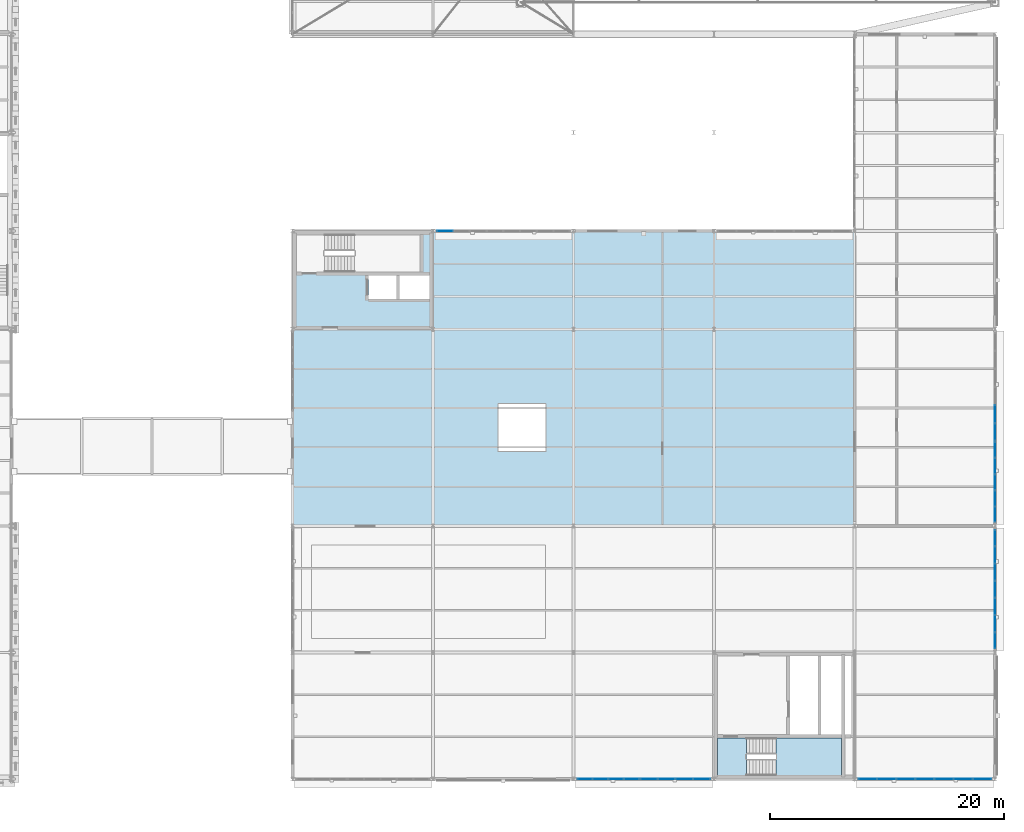
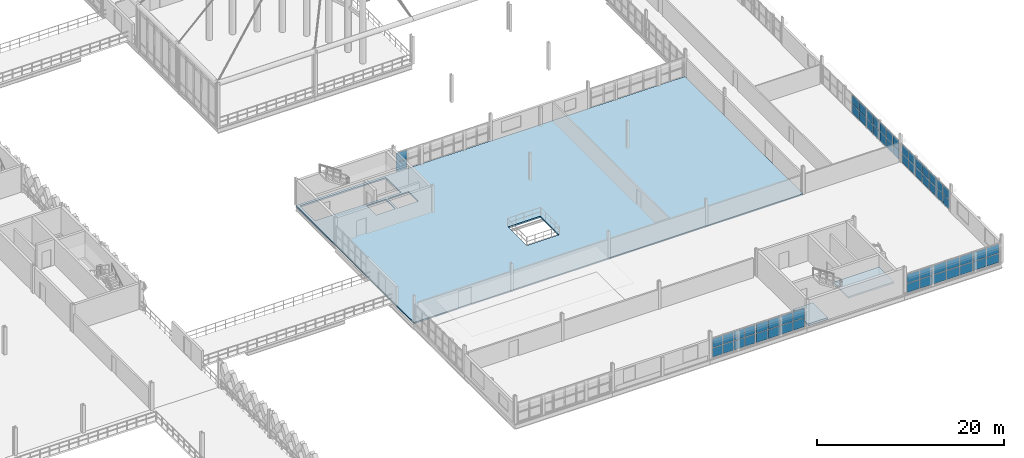
# One storey, part 70 of 101: 60 plates, 3 slabs, 8 elements without a shape of their own.
"""IFC4 building model written with IfcOpenShell, lengths in metres."""

from ifc_helpers import new_model, si_unit, direction, frame, origin, origin_2d, place, context, subcontext, project, spatial, polyline, rectangle, outline, extrude, material, layer, layer_set, type_object, element, aggregate, save


model = new_model("IFC4")

# Units and contexts
model_context = context("Model", 3, precision=1e-05, world=origin(), true_north=direction((0.0, 1.0)))
body_context = subcontext(model_context, "Body", "Model", "MODEL_VIEW")
ifc_project = project(units=[si_unit("LENGTHUNIT", "METRE"), si_unit("AREAUNIT", "SQUARE_METRE"), si_unit("VOLUMEUNIT", "CUBIC_METRE"), si_unit("PLANEANGLEUNIT", "RADIAN"), si_unit("MASSUNIT", "GRAM", prefix="KILO"), si_unit("THERMODYNAMICTEMPERATUREUNIT", "KELVIN"), si_unit("POWERUNIT", "WATT")], contexts=[model_context])

# Site, building, storey
site_placement = place(None, origin())
site = spatial("IfcSite", under=ifc_project, at=site_placement, CompositionType="ELEMENT")
building_placement = place(site_placement, origin())
building = spatial("IfcBuilding", under=site, at=building_placement, Name="Tembeka Court Mobility Hub", CompositionType="ELEMENT")
storey_placement = place(building_placement, frame((0.0, 0.0, 5.39990234375)))
storey = spatial("IfcBuildingStorey", under=building, at=storey_placement, Name="L01", CompositionType="ELEMENT", Elevation=5.39990234375)

# Curtain wall, plates
ifc_material_1 = material(Name="Anodised aluminium 6063-T6", Category="aluminium")
ifc_layer_1 = layer(ifc_material_1, 0.159912109375)
ifc_layer_set_1 = layer_set([ifc_layer_1], Name="Anodised aluminium 6063-T6")
curtain_wall_type_1 = type_object("IfcCurtainWallType", Name="CW-SYS39", PredefinedType="USERDEFINED", material=ifc_layer_set_1)
curtain_wall_1_placement = place(storey_placement, origin())
curtain_wall_1 = element("IfcCurtainWall", 1, at=curtain_wall_1_placement, inside=storey, type_object=curtain_wall_type_1, Name="Unitised curtain wall CW39 (CW-L01-107)", ObjectType="UNITISED GLAZING", PredefinedType="USERDEFINED")
ifc_material_2 = material(Name="Laminated solar-control low-E glass", Category="glass")
ifc_layer_2 = layer(ifc_material_2, 0.028076171875)
ifc_layer_set_2 = layer_set([ifc_layer_2], Name="Laminated solar-control low-E glass")
plate_type_1 = type_object("IfcPlateType", Name="PL-CW01", PredefinedType="CURTAIN_PANEL", material=ifc_layer_set_2)
plate_1_placement = place(storey_placement, frame((141.36376953125, 0.0, 0.065185546875), z_axis=(0.0, 0.0, 1.0), x_axis=(1.0, 0.0, 0.0)))
plate_1 = element("IfcPlate", 2, at=plate_1_placement, type_object=plate_type_1, Name="CW39 panel 1.1", PredefinedType="CURTAIN_PANEL", context=body_context, shape_type="SweptSolid", body=[
    extrude(rectangle(XDim=1.237548828125, YDim=0.028076171875, at=origin_2d()), origin(), (0.0, 0.0, 1.0), 1.169921875),
])
plate_2_placement = place(storey_placement, frame((141.36376953125, 0.0, 1.300048828125), z_axis=(0.0, 0.0, 1.0), x_axis=(1.0, 0.0, 0.0)))
plate_2 = element("IfcPlate", 3, at=plate_2_placement, type_object=plate_type_1, Name="CW39 panel 1.2", PredefinedType="CURTAIN_PANEL", context=body_context, shape_type="SweptSolid", body=[
    extrude(rectangle(XDim=1.237548828125, YDim=0.028076171875, at=origin_2d()), origin(), (0.0, 0.0, 1.0), 1.169921875),
])
plate_3_placement = place(storey_placement, frame((142.6826171875, 0.0, 0.065185546875), z_axis=(0.0, 0.0, 1.0), x_axis=(1.0, 0.0, 0.0)))
plate_3 = element("IfcPlate", 4, at=plate_3_placement, type_object=plate_type_1, Name="CW39 panel 2.1", PredefinedType="CURTAIN_PANEL", context=body_context, shape_type="SweptSolid", body=[
    extrude(rectangle(XDim=1.27001953125, YDim=0.028076171875, at=origin_2d()), origin(), (0.0, 0.0, 1.0), 1.169921875),
])
plate_4_placement = place(storey_placement, frame((142.6826171875, 0.0, 1.300048828125), z_axis=(0.0, 0.0, 1.0), x_axis=(1.0, 0.0, 0.0)))
plate_4 = element("IfcPlate", 5, at=plate_4_placement, type_object=plate_type_1, Name="CW39 panel 2.2", PredefinedType="CURTAIN_PANEL", context=body_context, shape_type="SweptSolid", body=[
    extrude(rectangle(XDim=1.27001953125, YDim=0.028076171875, at=origin_2d()), origin(), (0.0, 0.0, 1.0), 1.169921875),
])
plate_5_placement = place(storey_placement, frame((144.017578125, 0.0, 0.065185546875), z_axis=(0.0, 0.0, 1.0), x_axis=(1.0, 0.0, 0.0)))
plate_5 = element("IfcPlate", 6, at=plate_5_placement, type_object=plate_type_1, Name="CW39 panel 3.1", PredefinedType="CURTAIN_PANEL", context=body_context, shape_type="SweptSolid", body=[
    extrude(rectangle(XDim=1.27001953125, YDim=0.028076171875, at=origin_2d()), origin(), (0.0, 0.0, 1.0), 1.169921875),
])
plate_6_placement = place(storey_placement, frame((144.017578125, 0.0, 1.300048828125), z_axis=(0.0, 0.0, 1.0), x_axis=(1.0, 0.0, 0.0)))
plate_6 = element("IfcPlate", 7, at=plate_6_placement, type_object=plate_type_1, Name="CW39 panel 3.2", PredefinedType="CURTAIN_PANEL", context=body_context, shape_type="SweptSolid", body=[
    extrude(rectangle(XDim=1.27001953125, YDim=0.028076171875, at=origin_2d()), origin(), (0.0, 0.0, 1.0), 1.169921875),
])
plate_7_placement = place(storey_placement, frame((145.336181640625, 0.0, 0.065185546875), z_axis=(0.0, 0.0, 1.0), x_axis=(1.0, 0.0, 0.0)))
plate_7 = element("IfcPlate", 8, at=plate_7_placement, type_object=plate_type_1, Name="CW39 panel 4.1", PredefinedType="CURTAIN_PANEL", context=body_context, shape_type="SweptSolid", body=[
    extrude(rectangle(XDim=1.237548828125, YDim=0.028076171875, at=origin_2d()), origin(), (0.0, 0.0, 1.0), 1.169921875),
])
plate_8_placement = place(storey_placement, frame((145.336181640625, 0.0, 1.300048828125), z_axis=(0.0, 0.0, 1.0), x_axis=(1.0, 0.0, 0.0)))
plate_8 = element("IfcPlate", 9, at=plate_8_placement, type_object=plate_type_1, Name="CW39 panel 4.2", PredefinedType="CURTAIN_PANEL", context=body_context, shape_type="SweptSolid", body=[
    extrude(rectangle(XDim=1.237548828125, YDim=0.028076171875, at=origin_2d()), origin(), (0.0, 0.0, 1.0), 1.169921875),
])
aggregate(curtain_wall_1, [plate_1, plate_2, plate_3, plate_4, plate_5, plate_6, plate_7, plate_8])

ifc_layer_3 = layer(ifc_material_1, 0.159912109375)
ifc_layer_set_3 = layer_set([ifc_layer_3], Name="Anodised aluminium 6063-T6")
curtain_wall_type_2 = type_object("IfcCurtainWallType", Name="CW-SYS41", PredefinedType="USERDEFINED", material=ifc_layer_set_3)
curtain_wall_2_placement = place(storey_placement, origin())
curtain_wall_2 = element("IfcCurtainWall", 10, at=curtain_wall_2_placement, inside=storey, type_object=curtain_wall_type_2, Name="Unitised curtain wall CW41 (CW-L01-109)", ObjectType="UNITISED GLAZING", PredefinedType="USERDEFINED")
plate_9_placement = place(storey_placement, frame((165.513427734375, 0.0, 0.065185546875), z_axis=(0.0, 0.0, 1.0), x_axis=(1.0, 0.0, 0.0)))
plate_9 = element("IfcPlate", 11, at=plate_9_placement, type_object=plate_type_1, Name="CW41 panel 1.1", PredefinedType="CURTAIN_PANEL", context=body_context, shape_type="SweptSolid", body=[
    extrude(rectangle(XDim=1.536865234375, YDim=0.028076171875, at=origin_2d()), origin(), (0.0, 0.0, 1.0), 1.169921875),
])
plate_10_placement = place(storey_placement, frame((165.513427734375, 0.0, 1.300048828125), z_axis=(0.0, 0.0, 1.0), x_axis=(1.0, 0.0, 0.0)))
plate_10 = element("IfcPlate", 12, at=plate_10_placement, type_object=plate_type_1, Name="CW41 panel 1.2", PredefinedType="CURTAIN_PANEL", context=body_context, shape_type="SweptSolid", body=[
    extrude(rectangle(XDim=1.536865234375, YDim=0.028076171875, at=origin_2d()), origin(), (0.0, 0.0, 1.0), 1.169921875),
])
plate_11_placement = place(storey_placement, frame((167.13134765625, 0.0, 0.065185546875), z_axis=(0.0, 0.0, 1.0), x_axis=(1.0, 0.0, 0.0)))
plate_11 = element("IfcPlate", 13, at=plate_11_placement, type_object=plate_type_1, Name="CW41 panel 2.1", PredefinedType="CURTAIN_PANEL", context=body_context, shape_type="SweptSolid", body=[
    extrude(rectangle(XDim=1.5693359375, YDim=0.028076171875, at=origin_2d()), origin(), (0.0, 0.0, 1.0), 1.169921875),
])
plate_12_placement = place(storey_placement, frame((167.13134765625, 0.0, 1.300048828125), z_axis=(0.0, 0.0, 1.0), x_axis=(1.0, 0.0, 0.0)))
plate_12 = element("IfcPlate", 14, at=plate_12_placement, type_object=plate_type_1, Name="CW41 panel 2.2", PredefinedType="CURTAIN_PANEL", context=body_context, shape_type="SweptSolid", body=[
    extrude(rectangle(XDim=1.5693359375, YDim=0.028076171875, at=origin_2d()), origin(), (0.0, 0.0, 1.0), 1.169921875),
])
plate_13_placement = place(storey_placement, frame((168.765625, 0.0, 0.065185546875), z_axis=(0.0, 0.0, 1.0), x_axis=(1.0, 0.0, 0.0)))
plate_13 = element("IfcPlate", 15, at=plate_13_placement, type_object=plate_type_1, Name="CW41 panel 3.1", PredefinedType="CURTAIN_PANEL", context=body_context, shape_type="SweptSolid", body=[
    extrude(rectangle(XDim=1.5693359375, YDim=0.028076171875, at=origin_2d()), origin(), (0.0, 0.0, 1.0), 1.169921875),
])
plate_14_placement = place(storey_placement, frame((168.765625, 0.0, 1.300048828125), z_axis=(0.0, 0.0, 1.0), x_axis=(1.0, 0.0, 0.0)))
plate_14 = element("IfcPlate", 16, at=plate_14_placement, type_object=plate_type_1, Name="CW41 panel 3.2", PredefinedType="CURTAIN_PANEL", context=body_context, shape_type="SweptSolid", body=[
    extrude(rectangle(XDim=1.5693359375, YDim=0.028076171875, at=origin_2d()), origin(), (0.0, 0.0, 1.0), 1.169921875),
])
plate_15_placement = place(storey_placement, frame((170.39990234375, 0.0, 0.065185546875), z_axis=(0.0, 0.0, 1.0), x_axis=(1.0, 0.0, 0.0)))
plate_15 = element("IfcPlate", 17, at=plate_15_placement, type_object=plate_type_1, Name="CW41 panel 4.1", PredefinedType="CURTAIN_PANEL", context=body_context, shape_type="SweptSolid", body=[
    extrude(rectangle(XDim=1.5693359375, YDim=0.028076171875, at=origin_2d()), origin(), (0.0, 0.0, 1.0), 1.169921875),
])
plate_16_placement = place(storey_placement, frame((170.39990234375, 0.0, 1.300048828125), z_axis=(0.0, 0.0, 1.0), x_axis=(1.0, 0.0, 0.0)))
plate_16 = element("IfcPlate", 18, at=plate_16_placement, type_object=plate_type_1, Name="CW41 panel 4.2", PredefinedType="CURTAIN_PANEL", context=body_context, shape_type="SweptSolid", body=[
    extrude(rectangle(XDim=1.5693359375, YDim=0.028076171875, at=origin_2d()), origin(), (0.0, 0.0, 1.0), 1.169921875),
])
plate_17_placement = place(storey_placement, frame((172.0341796875, 0.0, 0.065185546875), z_axis=(0.0, 0.0, 1.0), x_axis=(1.0, 0.0, 0.0)))
plate_17 = element("IfcPlate", 19, at=plate_17_placement, type_object=plate_type_1, Name="CW41 panel 5.1", PredefinedType="CURTAIN_PANEL", context=body_context, shape_type="SweptSolid", body=[
    extrude(rectangle(XDim=1.5693359375, YDim=0.028076171875, at=origin_2d()), origin(), (0.0, 0.0, 1.0), 1.169921875),
])
plate_18_placement = place(storey_placement, frame((172.0341796875, 0.0, 1.300048828125), z_axis=(0.0, 0.0, 1.0), x_axis=(1.0, 0.0, 0.0)))
plate_18 = element("IfcPlate", 20, at=plate_18_placement, type_object=plate_type_1, Name="CW41 panel 5.2", PredefinedType="CURTAIN_PANEL", context=body_context, shape_type="SweptSolid", body=[
    extrude(rectangle(XDim=1.5693359375, YDim=0.028076171875, at=origin_2d()), origin(), (0.0, 0.0, 1.0), 1.169921875),
])
plate_19_placement = place(storey_placement, frame((173.66845703125, 0.0, 0.065185546875), z_axis=(0.0, 0.0, 1.0), x_axis=(1.0, 0.0, 0.0)))
plate_19 = element("IfcPlate", 21, at=plate_19_placement, type_object=plate_type_1, Name="CW41 panel 6.1", PredefinedType="CURTAIN_PANEL", context=body_context, shape_type="SweptSolid", body=[
    extrude(rectangle(XDim=1.5693359375, YDim=0.028076171875, at=origin_2d()), origin(), (0.0, 0.0, 1.0), 1.169921875),
])
plate_20_placement = place(storey_placement, frame((173.66845703125, 0.0, 1.300048828125), z_axis=(0.0, 0.0, 1.0), x_axis=(1.0, 0.0, 0.0)))
plate_20 = element("IfcPlate", 22, at=plate_20_placement, type_object=plate_type_1, Name="CW41 panel 6.2", PredefinedType="CURTAIN_PANEL", context=body_context, shape_type="SweptSolid", body=[
    extrude(rectangle(XDim=1.5693359375, YDim=0.028076171875, at=origin_2d()), origin(), (0.0, 0.0, 1.0), 1.169921875),
])
plate_21_placement = place(storey_placement, frame((175.28662109375, 0.0, 0.065185546875), z_axis=(0.0, 0.0, 1.0), x_axis=(1.0, 0.0, 0.0)))
plate_21 = element("IfcPlate", 23, at=plate_21_placement, type_object=plate_type_1, Name="CW41 panel 7.1", PredefinedType="CURTAIN_PANEL", context=body_context, shape_type="SweptSolid", body=[
    extrude(rectangle(XDim=1.536865234375, YDim=0.028076171875, at=origin_2d()), origin(), (0.0, 0.0, 1.0), 1.169921875),
])
plate_22_placement = place(storey_placement, frame((175.28662109375, 0.0, 1.300048828125), z_axis=(0.0, 0.0, 1.0), x_axis=(1.0, 0.0, 0.0)))
plate_22 = element("IfcPlate", 24, at=plate_22_placement, type_object=plate_type_1, Name="CW41 panel 7.2", PredefinedType="CURTAIN_PANEL", context=body_context, shape_type="SweptSolid", body=[
    extrude(rectangle(XDim=1.536865234375, YDim=0.028076171875, at=origin_2d()), origin(), (0.0, 0.0, 1.0), 1.169921875),
])
aggregate(curtain_wall_2, [plate_9, plate_10, plate_11, plate_12, plate_13, plate_14, plate_15, plate_16, plate_17, plate_18, plate_19, plate_20, plate_21, plate_22])

ifc_layer_4 = layer(ifc_material_1, 0.159912109375)
ifc_layer_set_4 = layer_set([ifc_layer_4], Name="Anodised aluminium 6063-T6")
curtain_wall_type_3 = type_object("IfcCurtainWallType", Name="CW-SYS42", PredefinedType="USERDEFINED", material=ifc_layer_set_4)
curtain_wall_3_placement = place(storey_placement, origin())
curtain_wall_3 = element("IfcCurtainWall", 25, at=curtain_wall_3_placement, inside=storey, type_object=curtain_wall_type_3, Name="Unitised curtain wall CW42 (CW-L01-110)", ObjectType="UNITISED GLAZING", PredefinedType="USERDEFINED")
plate_23_placement = place(storey_placement, frame((176.39990234375, 11.82763671875, 0.065185546875), z_axis=(0.0, 0.0, 1.0), x_axis=(0.0, 1.0, 0.0)))
plate_23 = element("IfcPlate", 26, at=plate_23_placement, type_object=plate_type_1, Name="CW42 panel 1.1", PredefinedType="CURTAIN_PANEL", context=body_context, shape_type="SweptSolid", body=[
    extrude(rectangle(XDim=1.365478515625, YDim=0.028076171875, at=origin_2d()), origin(), (0.0, 0.0, 1.0), 1.169921875),
])
plate_24_placement = place(storey_placement, frame((176.39990234375, 11.82763671875, 1.300048828125), z_axis=(0.0, 0.0, 1.0), x_axis=(0.0, 1.0, 0.0)))
plate_24 = element("IfcPlate", 27, at=plate_24_placement, type_object=plate_type_1, Name="CW42 panel 1.2", PredefinedType="CURTAIN_PANEL", context=body_context, shape_type="SweptSolid", body=[
    extrude(rectangle(XDim=1.365478515625, YDim=0.028076171875, at=origin_2d()), origin(), (0.0, 0.0, 1.0), 1.169921875),
])
plate_25_placement = place(storey_placement, frame((176.39990234375, 13.274169921875, 0.065185546875), z_axis=(0.0, 0.0, 1.0), x_axis=(0.0, 1.0, 0.0)))
plate_25 = element("IfcPlate", 28, at=plate_25_placement, type_object=plate_type_1, Name="CW42 panel 2.1", PredefinedType="CURTAIN_PANEL", context=body_context, shape_type="SweptSolid", body=[
    extrude(rectangle(XDim=1.39794921875, YDim=0.028076171875, at=origin_2d()), origin(), (0.0, 0.0, 1.0), 1.169921875),
])
plate_26_placement = place(storey_placement, frame((176.39990234375, 13.274169921875, 1.300048828125), z_axis=(0.0, 0.0, 1.0), x_axis=(0.0, 1.0, 0.0)))
plate_26 = element("IfcPlate", 29, at=plate_26_placement, type_object=plate_type_1, Name="CW42 panel 2.2", PredefinedType="CURTAIN_PANEL", context=body_context, shape_type="SweptSolid", body=[
    extrude(rectangle(XDim=1.39794921875, YDim=0.028076171875, at=origin_2d()), origin(), (0.0, 0.0, 1.0), 1.169921875),
])
plate_27_placement = place(storey_placement, frame((176.39990234375, 14.737060546875, 0.065185546875), z_axis=(0.0, 0.0, 1.0), x_axis=(0.0, 1.0, 0.0)))
plate_27 = element("IfcPlate", 30, at=plate_27_placement, type_object=plate_type_1, Name="CW42 panel 3.1", PredefinedType="CURTAIN_PANEL", context=body_context, shape_type="SweptSolid", body=[
    extrude(rectangle(XDim=1.39794921875, YDim=0.028076171875, at=origin_2d()), origin(), (0.0, 0.0, 1.0), 1.169921875),
])
plate_28_placement = place(storey_placement, frame((176.39990234375, 14.737060546875, 1.300048828125), z_axis=(0.0, 0.0, 1.0), x_axis=(0.0, 1.0, 0.0)))
plate_28 = element("IfcPlate", 31, at=plate_28_placement, type_object=plate_type_1, Name="CW42 panel 3.2", PredefinedType="CURTAIN_PANEL", context=body_context, shape_type="SweptSolid", body=[
    extrude(rectangle(XDim=1.39794921875, YDim=0.028076171875, at=origin_2d()), origin(), (0.0, 0.0, 1.0), 1.169921875),
])
plate_29_placement = place(storey_placement, frame((176.39990234375, 16.199951171875, 0.065185546875), z_axis=(0.0, 0.0, 1.0), x_axis=(0.0, 1.0, 0.0)))
plate_29 = element("IfcPlate", 32, at=plate_29_placement, type_object=plate_type_1, Name="CW42 panel 4.1", PredefinedType="CURTAIN_PANEL", context=body_context, shape_type="SweptSolid", body=[
    extrude(rectangle(XDim=1.39794921875, YDim=0.028076171875, at=origin_2d()), origin(), (0.0, 0.0, 1.0), 1.169921875),
])
plate_30_placement = place(storey_placement, frame((176.39990234375, 16.199951171875, 1.300048828125), z_axis=(0.0, 0.0, 1.0), x_axis=(0.0, 1.0, 0.0)))
plate_30 = element("IfcPlate", 33, at=plate_30_placement, type_object=plate_type_1, Name="CW42 panel 4.2", PredefinedType="CURTAIN_PANEL", context=body_context, shape_type="SweptSolid", body=[
    extrude(rectangle(XDim=1.39794921875, YDim=0.028076171875, at=origin_2d()), origin(), (0.0, 0.0, 1.0), 1.169921875),
])
plate_31_placement = place(storey_placement, frame((176.39990234375, 17.662841796875, 0.065185546875), z_axis=(0.0, 0.0, 1.0), x_axis=(0.0, 1.0, 0.0)))
plate_31 = element("IfcPlate", 34, at=plate_31_placement, type_object=plate_type_1, Name="CW42 panel 5.1", PredefinedType="CURTAIN_PANEL", context=body_context, shape_type="SweptSolid", body=[
    extrude(rectangle(XDim=1.39794921875, YDim=0.028076171875, at=origin_2d()), origin(), (0.0, 0.0, 1.0), 1.169921875),
])
plate_32_placement = place(storey_placement, frame((176.39990234375, 17.662841796875, 1.300048828125), z_axis=(0.0, 0.0, 1.0), x_axis=(0.0, 1.0, 0.0)))
plate_32 = element("IfcPlate", 35, at=plate_32_placement, type_object=plate_type_1, Name="CW42 panel 5.2", PredefinedType="CURTAIN_PANEL", context=body_context, shape_type="SweptSolid", body=[
    extrude(rectangle(XDim=1.39794921875, YDim=0.028076171875, at=origin_2d()), origin(), (0.0, 0.0, 1.0), 1.169921875),
])
plate_33_placement = place(storey_placement, frame((176.39990234375, 19.125732421875, 0.065185546875), z_axis=(0.0, 0.0, 1.0), x_axis=(0.0, 1.0, 0.0)))
plate_33 = element("IfcPlate", 36, at=plate_33_placement, type_object=plate_type_1, Name="CW42 panel 6.1", PredefinedType="CURTAIN_PANEL", context=body_context, shape_type="SweptSolid", body=[
    extrude(rectangle(XDim=1.39794921875, YDim=0.028076171875, at=origin_2d()), origin(), (0.0, 0.0, 1.0), 1.169921875),
])
plate_34_placement = place(storey_placement, frame((176.39990234375, 19.125732421875, 1.300048828125), z_axis=(0.0, 0.0, 1.0), x_axis=(0.0, 1.0, 0.0)))
plate_34 = element("IfcPlate", 37, at=plate_34_placement, type_object=plate_type_1, Name="CW42 panel 6.2", PredefinedType="CURTAIN_PANEL", context=body_context, shape_type="SweptSolid", body=[
    extrude(rectangle(XDim=1.39794921875, YDim=0.028076171875, at=origin_2d()), origin(), (0.0, 0.0, 1.0), 1.169921875),
])
plate_35_placement = place(storey_placement, frame((176.39990234375, 20.572265625, 0.065185546875), z_axis=(0.0, 0.0, 1.0), x_axis=(0.0, 1.0, 0.0)))
plate_35 = element("IfcPlate", 38, at=plate_35_placement, type_object=plate_type_1, Name="CW42 panel 7.1", PredefinedType="CURTAIN_PANEL", context=body_context, shape_type="SweptSolid", body=[
    extrude(rectangle(XDim=1.365478515625, YDim=0.028076171875, at=origin_2d()), origin(), (0.0, 0.0, 1.0), 1.169921875),
])
plate_36_placement = place(storey_placement, frame((176.39990234375, 20.572265625, 1.300048828125), z_axis=(0.0, 0.0, 1.0), x_axis=(0.0, 1.0, 0.0)))
plate_36 = element("IfcPlate", 39, at=plate_36_placement, type_object=plate_type_1, Name="CW42 panel 7.2", PredefinedType="CURTAIN_PANEL", context=body_context, shape_type="SweptSolid", body=[
    extrude(rectangle(XDim=1.365478515625, YDim=0.028076171875, at=origin_2d()), origin(), (0.0, 0.0, 1.0), 1.169921875),
])
aggregate(curtain_wall_3, [plate_23, plate_24, plate_25, plate_26, plate_27, plate_28, plate_29, plate_30, plate_31, plate_32, plate_33, plate_34, plate_35, plate_36])

ifc_layer_5 = layer(ifc_material_1, 0.159912109375)
ifc_layer_set_5 = layer_set([ifc_layer_5], Name="Anodised aluminium 6063-T6")
curtain_wall_type_4 = type_object("IfcCurtainWallType", Name="CW-SYS43", PredefinedType="USERDEFINED", material=ifc_layer_set_5)
curtain_wall_4_placement = place(storey_placement, origin())
curtain_wall_4 = element("IfcCurtainWall", 40, at=curtain_wall_4_placement, inside=storey, type_object=curtain_wall_type_4, Name="Unitised curtain wall CW43 (CW-L01-111)", ObjectType="UNITISED GLAZING", PredefinedType="USERDEFINED")
plate_37_placement = place(storey_placement, frame((176.39990234375, 22.588623046875, 0.065185546875), z_axis=(0.0, 0.0, 1.0), x_axis=(0.0, 1.0, 0.0)))
plate_37 = element("IfcPlate", 41, at=plate_37_placement, type_object=plate_type_1, Name="CW43 panel 1.1", PredefinedType="CURTAIN_PANEL", context=body_context, shape_type="SweptSolid", body=[
    extrude(rectangle(XDim=1.287353515625, YDim=0.028076171875, at=origin_2d()), origin(), (0.0, 0.0, 1.0), 1.169921875),
])
plate_38_placement = place(storey_placement, frame((176.39990234375, 22.588623046875, 1.300048828125), z_axis=(0.0, 0.0, 1.0), x_axis=(0.0, 1.0, 0.0)))
plate_38 = element("IfcPlate", 42, at=plate_38_placement, type_object=plate_type_1, Name="CW43 panel 1.2", PredefinedType="CURTAIN_PANEL", context=body_context, shape_type="SweptSolid", body=[
    extrude(rectangle(XDim=1.287353515625, YDim=0.028076171875, at=origin_2d()), origin(), (0.0, 0.0, 1.0), 1.169921875),
])
plate_39_placement = place(storey_placement, frame((176.39990234375, 23.957275390625, 0.065185546875), z_axis=(0.0, 0.0, 1.0), x_axis=(0.0, 1.0, 0.0)))
plate_39 = element("IfcPlate", 43, at=plate_39_placement, type_object=plate_type_1, Name="CW43 panel 2.1", PredefinedType="CURTAIN_PANEL", context=body_context, shape_type="SweptSolid", body=[
    extrude(rectangle(XDim=1.31982421875, YDim=0.028076171875, at=origin_2d()), origin(), (0.0, 0.0, 1.0), 1.169921875),
])
plate_40_placement = place(storey_placement, frame((176.39990234375, 23.957275390625, 1.300048828125), z_axis=(0.0, 0.0, 1.0), x_axis=(0.0, 1.0, 0.0)))
plate_40 = element("IfcPlate", 44, at=plate_40_placement, type_object=plate_type_1, Name="CW43 panel 2.2", PredefinedType="CURTAIN_PANEL", context=body_context, shape_type="SweptSolid", body=[
    extrude(rectangle(XDim=1.31982421875, YDim=0.028076171875, at=origin_2d()), origin(), (0.0, 0.0, 1.0), 1.169921875),
])
plate_41_placement = place(storey_placement, frame((176.39990234375, 25.342041015625, 0.065185546875), z_axis=(0.0, 0.0, 1.0), x_axis=(0.0, 1.0, 0.0)))
plate_41 = element("IfcPlate", 45, at=plate_41_placement, type_object=plate_type_1, Name="CW43 panel 3.1", PredefinedType="CURTAIN_PANEL", context=body_context, shape_type="SweptSolid", body=[
    extrude(rectangle(XDim=1.31982421875, YDim=0.028076171875, at=origin_2d()), origin(), (0.0, 0.0, 1.0), 1.169921875),
])
plate_42_placement = place(storey_placement, frame((176.39990234375, 25.342041015625, 1.300048828125), z_axis=(0.0, 0.0, 1.0), x_axis=(0.0, 1.0, 0.0)))
plate_42 = element("IfcPlate", 46, at=plate_42_placement, type_object=plate_type_1, Name="CW43 panel 3.2", PredefinedType="CURTAIN_PANEL", context=body_context, shape_type="SweptSolid", body=[
    extrude(rectangle(XDim=1.31982421875, YDim=0.028076171875, at=origin_2d()), origin(), (0.0, 0.0, 1.0), 1.169921875),
])
plate_43_placement = place(storey_placement, frame((176.39990234375, 26.726806640625, 0.065185546875), z_axis=(0.0, 0.0, 1.0), x_axis=(0.0, 1.0, 0.0)))
plate_43 = element("IfcPlate", 47, at=plate_43_placement, type_object=plate_type_1, Name="CW43 panel 4.1", PredefinedType="CURTAIN_PANEL", context=body_context, shape_type="SweptSolid", body=[
    extrude(rectangle(XDim=1.31982421875, YDim=0.028076171875, at=origin_2d()), origin(), (0.0, 0.0, 1.0), 1.169921875),
])
plate_44_placement = place(storey_placement, frame((176.39990234375, 26.726806640625, 1.300048828125), z_axis=(0.0, 0.0, 1.0), x_axis=(0.0, 1.0, 0.0)))
plate_44 = element("IfcPlate", 48, at=plate_44_placement, type_object=plate_type_1, Name="CW43 panel 4.2", PredefinedType="CURTAIN_PANEL", context=body_context, shape_type="SweptSolid", body=[
    extrude(rectangle(XDim=1.31982421875, YDim=0.028076171875, at=origin_2d()), origin(), (0.0, 0.0, 1.0), 1.169921875),
])
plate_45_placement = place(storey_placement, frame((176.39990234375, 28.095458984375, 0.065185546875), z_axis=(0.0, 0.0, 1.0), x_axis=(0.0, 1.0, 0.0)))
plate_45 = element("IfcPlate", 49, at=plate_45_placement, type_object=plate_type_1, Name="CW43 panel 5.1", PredefinedType="CURTAIN_PANEL", context=body_context, shape_type="SweptSolid", body=[
    extrude(rectangle(XDim=1.287353515625, YDim=0.028076171875, at=origin_2d()), origin(), (0.0, 0.0, 1.0), 1.169921875),
])
plate_46_placement = place(storey_placement, frame((176.39990234375, 28.095458984375, 1.300048828125), z_axis=(0.0, 0.0, 1.0), x_axis=(0.0, 1.0, 0.0)))
plate_46 = element("IfcPlate", 50, at=plate_46_placement, type_object=plate_type_1, Name="CW43 panel 5.2", PredefinedType="CURTAIN_PANEL", context=body_context, shape_type="SweptSolid", body=[
    extrude(rectangle(XDim=1.287353515625, YDim=0.028076171875, at=origin_2d()), origin(), (0.0, 0.0, 1.0), 1.169921875),
])
aggregate(curtain_wall_4, [plate_37, plate_38, plate_39, plate_40, plate_41, plate_42, plate_43, plate_44, plate_45, plate_46])

curtain_wall_5_placement = place(storey_placement, origin())
curtain_wall_5 = element("IfcCurtainWall", 51, at=curtain_wall_5_placement, inside=storey, type_object=curtain_wall_type_2, Name="Unitised curtain wall CW41 (CW-L01-115)", ObjectType="UNITISED GLAZING", PredefinedType="USERDEFINED")
plate_47_placement = place(storey_placement, frame((129.4111328125, 46.800048828125, 0.065185546875), z_axis=(0.0, 0.0, 1.0), x_axis=(1.0, 0.0, 0.0)))
plate_47 = element("IfcPlate", 52, at=plate_47_placement, type_object=plate_type_1, Name="CW41 panel 1.1", PredefinedType="CURTAIN_PANEL", context=body_context, shape_type="SweptSolid", body=[
    extrude(rectangle(XDim=1.33251953125, YDim=0.028076171875, at=origin_2d()), origin(), (0.0, 0.0, 1.0), 1.169921875),
])
plate_48_placement = place(storey_placement, frame((129.4111328125, 46.800048828125, 1.300048828125), z_axis=(0.0, 0.0, 1.0), x_axis=(1.0, 0.0, 0.0)))
plate_48 = element("IfcPlate", 53, at=plate_48_placement, type_object=plate_type_1, Name="CW41 panel 1.2", PredefinedType="CURTAIN_PANEL", context=body_context, shape_type="SweptSolid", body=[
    extrude(rectangle(XDim=1.33251953125, YDim=0.028076171875, at=origin_2d()), origin(), (0.0, 0.0, 1.0), 1.169921875),
])
aggregate(curtain_wall_5, [plate_47, plate_48])

ifc_layer_6 = layer(ifc_material_1, 0.159912109375)
ifc_layer_set_6 = layer_set([ifc_layer_6], Name="Anodised aluminium 6063-T6")
curtain_wall_type_5 = type_object("IfcCurtainWallType", Name="CW-SYS40", PredefinedType="USERDEFINED", material=ifc_layer_set_6)
curtain_wall_6_placement = place(storey_placement, origin())
curtain_wall_6 = element("IfcCurtainWall", 54, at=curtain_wall_6_placement, inside=storey, type_object=curtain_wall_type_5, Name="Unitised curtain wall CW40 (CW-L01-108)", ObjectType="UNITISED GLAZING", PredefinedType="USERDEFINED")
ifc_material_3 = material(Name="Insulated aluminium spandrel panel", Category="aluminium")
ifc_layer_7 = layer(ifc_material_3, 0.052001953125)
ifc_layer_set_7 = layer_set([ifc_layer_7], Name="Insulated aluminium spandrel panel")
plate_type_2 = type_object("IfcPlateType", Name="PL-CW02", PredefinedType="CURTAIN_PANEL", material=ifc_layer_set_7)
plate_49_placement = place(storey_placement, frame((146.833740234375, 0.0, 0.065185546875), z_axis=(0.0, 0.0, 1.0), x_axis=(1.0, 0.0, 0.0)))
plate_49 = element("IfcPlate", 55, at=plate_49_placement, type_object=plate_type_2, Name="CW40 panel 1.1", PredefinedType="CURTAIN_PANEL", context=body_context, shape_type="SweptSolid", body=[
    extrude(rectangle(XDim=1.41748046875, YDim=0.052001953125, at=origin_2d()), origin(), (0.0, 0.0, 1.0), 1.169921875),
])
plate_50_placement = place(storey_placement, frame((146.833740234375, 0.0, 1.300048828125), z_axis=(0.0, 0.0, 1.0), x_axis=(1.0, 0.0, 0.0)))
plate_50 = element("IfcPlate", 56, at=plate_50_placement, type_object=plate_type_2, Name="CW40 panel 1.2", PredefinedType="CURTAIN_PANEL", context=body_context, shape_type="SweptSolid", body=[
    extrude(rectangle(XDim=1.41748046875, YDim=0.052001953125, at=origin_2d()), origin(), (0.0, 0.0, 1.0), 1.169921875),
])
plate_51_placement = place(storey_placement, frame((148.33251953125, 0.0, 0.065185546875), z_axis=(0.0, 0.0, 1.0), x_axis=(1.0, 0.0, 0.0)))
plate_51 = element("IfcPlate", 57, at=plate_51_placement, type_object=plate_type_2, Name="CW40 panel 2.1", PredefinedType="CURTAIN_PANEL", context=body_context, shape_type="SweptSolid", body=[
    extrude(rectangle(XDim=1.449951171875, YDim=0.052001953125, at=origin_2d()), origin(), (0.0, 0.0, 1.0), 1.169921875),
])
plate_52_placement = place(storey_placement, frame((148.33251953125, 0.0, 1.300048828125), z_axis=(0.0, 0.0, 1.0), x_axis=(1.0, 0.0, 0.0)))
plate_52 = element("IfcPlate", 58, at=plate_52_placement, type_object=plate_type_2, Name="CW40 panel 2.2", PredefinedType="CURTAIN_PANEL", context=body_context, shape_type="SweptSolid", body=[
    extrude(rectangle(XDim=1.449951171875, YDim=0.052001953125, at=origin_2d()), origin(), (0.0, 0.0, 1.0), 1.169921875),
])
plate_53_placement = place(storey_placement, frame((149.847412109375, 0.0, 0.065185546875), z_axis=(0.0, 0.0, 1.0), x_axis=(1.0, 0.0, 0.0)))
plate_53 = element("IfcPlate", 59, at=plate_53_placement, type_object=plate_type_2, Name="CW40 panel 3.1", PredefinedType="CURTAIN_PANEL", context=body_context, shape_type="SweptSolid", body=[
    extrude(rectangle(XDim=1.449951171875, YDim=0.052001953125, at=origin_2d()), origin(), (0.0, 0.0, 1.0), 1.169921875),
])
plate_54_placement = place(storey_placement, frame((149.847412109375, 0.0, 1.300048828125), z_axis=(0.0, 0.0, 1.0), x_axis=(1.0, 0.0, 0.0)))
plate_54 = element("IfcPlate", 60, at=plate_54_placement, type_object=plate_type_2, Name="CW40 panel 3.2", PredefinedType="CURTAIN_PANEL", context=body_context, shape_type="SweptSolid", body=[
    extrude(rectangle(XDim=1.449951171875, YDim=0.052001953125, at=origin_2d()), origin(), (0.0, 0.0, 1.0), 1.169921875),
])
plate_55_placement = place(storey_placement, frame((151.34619140625, 0.0, 0.065185546875), z_axis=(0.0, 0.0, 1.0), x_axis=(1.0, 0.0, 0.0)))
plate_55 = element("IfcPlate", 61, at=plate_55_placement, type_object=plate_type_2, Name="CW40 panel 4.1", PredefinedType="CURTAIN_PANEL", context=body_context, shape_type="SweptSolid", body=[
    extrude(rectangle(XDim=1.41748046875, YDim=0.052001953125, at=origin_2d()), origin(), (0.0, 0.0, 1.0), 1.169921875),
])
plate_56_placement = place(storey_placement, frame((151.34619140625, 0.0, 1.300048828125), z_axis=(0.0, 0.0, 1.0), x_axis=(1.0, 0.0, 0.0)))
plate_56 = element("IfcPlate", 62, at=plate_56_placement, type_object=plate_type_2, Name="CW40 panel 4.2", PredefinedType="CURTAIN_PANEL", context=body_context, shape_type="SweptSolid", body=[
    extrude(rectangle(XDim=1.41748046875, YDim=0.052001953125, at=origin_2d()), origin(), (0.0, 0.0, 1.0), 1.169921875),
])
aggregate(curtain_wall_6, [plate_49, plate_50, plate_51, plate_52, plate_53, plate_54, plate_55, plate_56])

ifc_layer_8 = layer(ifc_material_1, 0.159912109375)
ifc_layer_set_8 = layer_set([ifc_layer_8], Name="Anodised aluminium 6063-T6")
curtain_wall_type_6 = type_object("IfcCurtainWallType", Name="CW-SYS44", PredefinedType="USERDEFINED", material=ifc_layer_set_8)
curtain_wall_7_placement = place(storey_placement, origin())
curtain_wall_7 = element("IfcCurtainWall", 63, at=curtain_wall_7_placement, inside=storey, type_object=curtain_wall_type_6, Name="Unitised curtain wall CW44 (CW-L01-112)", ObjectType="UNITISED GLAZING", PredefinedType="USERDEFINED")
plate_57_placement = place(storey_placement, frame((176.39990234375, 29.63330078125, 0.065185546875), z_axis=(0.0, 0.0, 1.0), x_axis=(0.0, 1.0, 0.0)))
plate_57 = element("IfcPlate", 64, at=plate_57_placement, type_object=plate_type_2, Name="CW44 panel 1.1", PredefinedType="CURTAIN_PANEL", context=body_context, shape_type="SweptSolid", body=[
    extrude(rectangle(XDim=1.448486328125, YDim=0.052001953125, at=origin_2d()), origin(), (0.0, 0.0, 1.0), 1.169921875),
])
plate_58_placement = place(storey_placement, frame((176.39990234375, 29.63330078125, 1.300048828125), z_axis=(0.0, 0.0, 1.0), x_axis=(0.0, 1.0, 0.0)))
plate_58 = element("IfcPlate", 65, at=plate_58_placement, type_object=plate_type_2, Name="CW44 panel 1.2", PredefinedType="CURTAIN_PANEL", context=body_context, shape_type="SweptSolid", body=[
    extrude(rectangle(XDim=1.448486328125, YDim=0.052001953125, at=origin_2d()), origin(), (0.0, 0.0, 1.0), 1.169921875),
])
plate_59_placement = place(storey_placement, frame((176.39990234375, 31.1630859375, 0.065185546875), z_axis=(0.0, 0.0, 1.0), x_axis=(0.0, 1.0, 0.0)))
plate_59 = element("IfcPlate", 66, at=plate_59_placement, type_object=plate_type_2, Name="CW44 panel 2.1", PredefinedType="CURTAIN_PANEL", context=body_context, shape_type="SweptSolid", body=[
    extrude(rectangle(XDim=1.48095703125, YDim=0.052001953125, at=origin_2d()), origin(), (0.0, 0.0, 1.0), 1.169921875),
])
plate_60_placement = place(storey_placement, frame((176.39990234375, 31.1630859375, 1.300048828125), z_axis=(0.0, 0.0, 1.0), x_axis=(0.0, 1.0, 0.0)))
plate_60 = element("IfcPlate", 67, at=plate_60_placement, type_object=plate_type_2, Name="CW44 panel 2.2", PredefinedType="CURTAIN_PANEL", context=body_context, shape_type="SweptSolid", body=[
    extrude(rectangle(XDim=1.48095703125, YDim=0.052001953125, at=origin_2d()), origin(), (0.0, 0.0, 1.0), 1.169921875),
])
aggregate(curtain_wall_7, [plate_57, plate_58, plate_59, plate_60])

# Slabs
ifc_material_4 = material(Name="Concrete C40/50", Category="concrete")
ifc_layer_9 = layer(ifc_material_4, 0.18994140625)
ifc_layer_set_9 = layer_set([ifc_layer_9], Name="Concrete C40/50")
slab_type_1 = type_object("IfcSlabType", Name="SL-FL03", PredefinedType="FLOOR", material=ifc_layer_set_9)
slab_1_placement = place(storey_placement, frame((0.0, 0.0, -0.18994140625)))
element("IfcSlab", 68, at=slab_1_placement, inside=storey, type_object=slab_type_1, Name="L01 bicycle mobility arcade slab", PredefinedType="FLOOR", context=body_context, shape_type="SweptSolid", body=[
    extrude(outline(polyline([(116.39990234375, 21.60009765625), (164.39990234375, 21.60009765625), (164.39990234375, 46.800048828125), (116.39990234375, 46.800048828125), (116.39990234375, 21.60009765625)]), holes=[polyline([(116.699951171875, 46.5), (127.300048828125, 46.5), (127.300048828125, 43.300048828125), (116.699951171875, 43.300048828125), (116.699951171875, 46.5)]), polyline([(122.89990234375, 43.0), (125.300048828125, 43.0), (125.300048828125, 40.949951171875), (122.89990234375, 40.949951171875), (122.89990234375, 43.0)]), polyline([(125.5, 43.0), (128.10009765625, 43.0), (128.10009765625, 40.949951171875), (125.5, 40.949951171875), (125.5, 43.0)]), polyline([(134.0, 32.0), (138.0, 32.0), (138.0, 28.0), (134.0, 28.0), (134.0, 32.0)])]), origin(), (0.0, 0.0, 1.0), 0.18994140625),
])
ifc_layer_10 = layer(ifc_material_4, 0.199951171875)
ifc_layer_set_10 = layer_set([ifc_layer_10], Name="Concrete C40/50")
slab_type_2 = type_object("IfcSlabType", Name="SL-LD01", PredefinedType="LANDING", material=ifc_layer_set_10)
slab_2_placement = place(storey_placement, frame((0.0, 0.0, -0.25)))
element("IfcSlab", 69, at=slab_2_placement, inside=storey, type_object=slab_type_2, Name="Stair ST06 L01 floor landing slab", PredefinedType="LANDING", context=body_context, shape_type="SweptSolid", body=[
    extrude(outline(polyline([(152.699951171875, 0.300048828125), (155.14990234375, 0.300048828125), (155.14990234375, 3.5), (152.699951171875, 3.5), (152.699951171875, 0.300048828125)])), origin(), (0.0, 0.0, 1.0), 0.25),
])

# Stair, slab
stair_type = type_object("IfcStairType", Name="STR-ST06L01", PredefinedType="HALF_TURN_STAIR", material=ifc_material_4)
stair_placement = place(storey_placement, origin())
stair = element("IfcStair", 70, at=stair_placement, inside=storey, type_object=stair_type, Name="Protected exit stair ST06 (L01)", PredefinedType="HALF_TURN_STAIR")
slab_3_placement = place(storey_placement, frame((0.0, 0.0, 1.60009765625)))
slab_3 = element("IfcSlab", 71, at=slab_3_placement, type_object=slab_type_2, Name="ST06L01 landing 1", PredefinedType="LANDING", context=body_context, shape_type="SweptSolid", body=[
    extrude(outline(polyline([(157.669921875, 0.300048828125), (163.300048828125, 0.300048828125), (163.300048828125, 3.5), (157.669921875, 3.5), (157.669921875, 0.300048828125)])), origin(), (0.0, 0.0, 1.0), 0.199951171875),
])
aggregate(stair, [slab_3])

save(model, "model.ifc")
